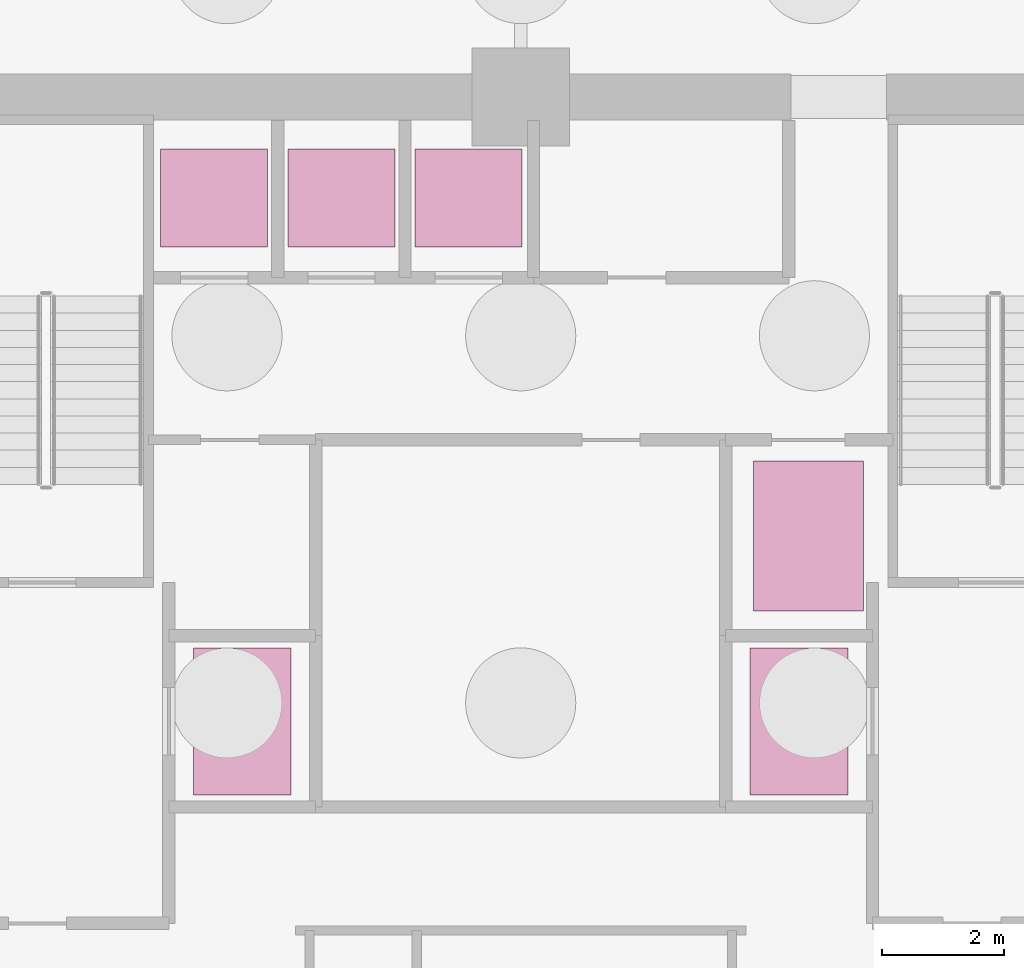
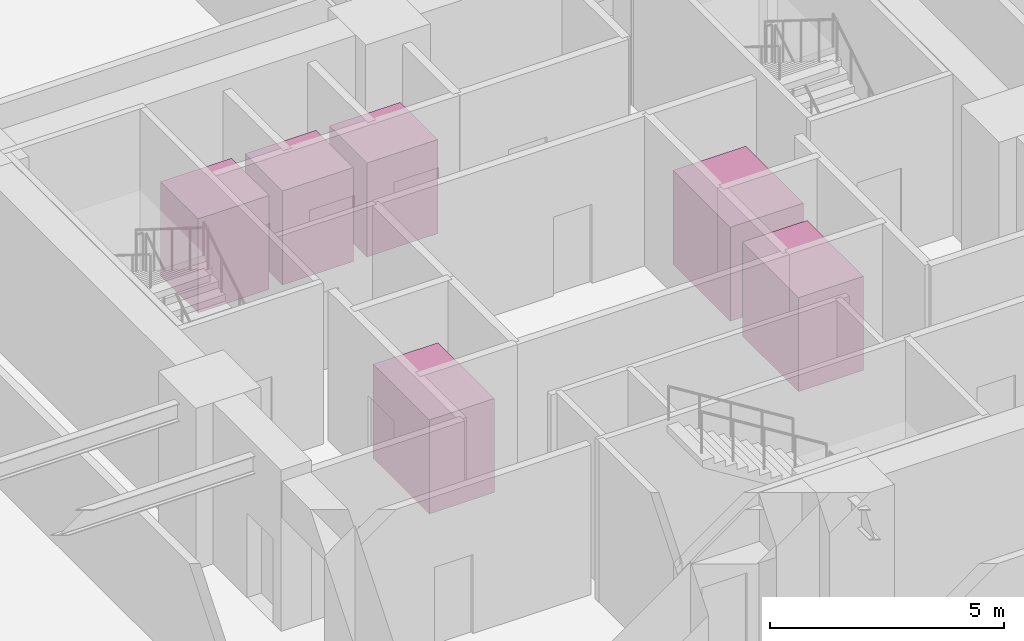
# One storey, part 8 of 8: 6 transport elements.
"""IFC4 building model written with IfcOpenShell, lengths in metres."""

from ifc_helpers import new_model, si_unit, direction, frame, origin, place, context, subcontext, project, spatial, polyline, outline, extrude, material, type_object, element, save


model = new_model("IFC4")

# Units and contexts
model_context = context("Model", 3, precision=1e-05, world=origin(), true_north=direction((0.0, 1.0)))
body_context = subcontext(model_context, "Body", "Model", "MODEL_VIEW")
ifc_project = project(units=[si_unit("LENGTHUNIT", "METRE"), si_unit("AREAUNIT", "SQUARE_METRE"), si_unit("VOLUMEUNIT", "CUBIC_METRE"), si_unit("PLANEANGLEUNIT", "RADIAN"), si_unit("MASSUNIT", "GRAM", prefix="KILO")], contexts=[model_context])

# Site, building, storey
site_placement = place(None, origin())
site = spatial("IfcSite", under=ifc_project, at=site_placement, CompositionType="ELEMENT")
building_placement = place(site_placement, origin())
building = spatial("IfcBuilding", under=site, at=building_placement, Name="Kolvaren Belvedere", CompositionType="ELEMENT")
storey_placement = place(building_placement, frame((0.0, 0.0, -12.60009765625)))
storey = spatial("IfcBuildingStorey", under=building, at=storey_placement, Name="B03", CompositionType="ELEMENT", Elevation=-12.60009765625)

# Transport elements
ifc_material_1 = material(Name="Fire-rated brushed stainless steel", Category="steel")
transport_element_type_1 = type_object("IfcTransportElementType", Name="LIFT-FSAE-2000", PredefinedType="ELEVATOR", material=ifc_material_1)
transport_element_1_placement = place(storey_placement, origin())
element("IfcTransportElement", 1, at=transport_element_1_placement, inside=storey, type_object=transport_element_type_1, Name="Firefighting Access Lift FS1", PredefinedType="ELEVATOR", context=body_context, shape_type="SweptSolid", body=[
    extrude(outline(polyline([(-5.35009765625, -1.5), (-3.75, -1.5), (-3.75, 0.89990234375), (-5.35009765625, 0.89990234375), (-5.35009765625, -1.5)])), origin(), (0.0, 0.0, 1.0), 2.4501953125),
])
transport_element_2_placement = place(storey_placement, origin())
element("IfcTransportElement", 2, at=transport_element_2_placement, inside=storey, type_object=transport_element_type_1, Name="Firefighting Access Lift FS2", PredefinedType="ELEVATOR", context=body_context, shape_type="SweptSolid", body=[
    extrude(outline(polyline([(3.75, -1.5), (5.35009765625, -1.5), (5.35009765625, 0.89990234375), (3.75, 0.89990234375), (3.75, -1.5)])), origin(), (0.0, 0.0, 1.0), 2.4501953125),
])
ifc_material_2 = material(Name="Brushed stainless steel & laminated glass", Category="steel")
transport_element_type_2 = type_object("IfcTransportElementType", Name="LIFT-PASS-1600", PredefinedType="ELEVATOR", material=ifc_material_2)
transport_element_3_placement = place(storey_placement, origin())
element("IfcTransportElement", 3, at=transport_element_3_placement, inside=storey, type_object=transport_element_type_2, Name="Passenger Lift P1", PredefinedType="ELEVATOR", context=body_context, shape_type="SweptSolid", body=[
    extrude(outline(polyline([(-5.885009765625, 7.449951171875), (-4.135009765625, 7.449951171875), (-4.135009765625, 9.050048828125), (-5.885009765625, 9.050048828125), (-5.885009765625, 7.449951171875)])), origin(), (0.0, 0.0, 1.0), 2.4501953125),
])
transport_element_4_placement = place(storey_placement, origin())
element("IfcTransportElement", 4, at=transport_element_4_placement, inside=storey, type_object=transport_element_type_2, Name="Passenger Lift P2", PredefinedType="ELEVATOR", context=body_context, shape_type="SweptSolid", body=[
    extrude(outline(polyline([(-3.804931640625, 7.449951171875), (-2.054931640625, 7.449951171875), (-2.054931640625, 9.050048828125), (-3.804931640625, 9.050048828125), (-3.804931640625, 7.449951171875)])), origin(), (0.0, 0.0, 1.0), 2.4501953125),
])
transport_element_5_placement = place(storey_placement, origin())
element("IfcTransportElement", 5, at=transport_element_5_placement, inside=storey, type_object=transport_element_type_2, Name="Passenger Lift P3", PredefinedType="ELEVATOR", context=body_context, shape_type="SweptSolid", body=[
    extrude(outline(polyline([(-1.72509765625, 7.449951171875), (0.02490234375, 7.449951171875), (0.02490234375, 9.050048828125), (-1.72509765625, 9.050048828125), (-1.72509765625, 7.449951171875)])), origin(), (0.0, 0.0, 1.0), 2.4501953125),
])
ifc_material_3 = material(Name="Heavy-duty checkered stainless steel", Category="steel")
transport_element_type_3 = type_object("IfcTransportElementType", Name="LIFT-SVC-2250", PredefinedType="ELEVATOR", material=ifc_material_3)
transport_element_6_placement = place(storey_placement, origin())
element("IfcTransportElement", 6, at=transport_element_6_placement, inside=storey, type_object=transport_element_type_3, Name="Service Freight Lift SV1", PredefinedType="ELEVATOR", context=body_context, shape_type="SweptSolid", body=[
    extrude(outline(polyline([(3.800048828125, 1.5), (5.60009765625, 1.5), (5.60009765625, 3.949951171875), (3.800048828125, 3.949951171875), (3.800048828125, 1.5)])), origin(), (0.0, 0.0, 1.0), 2.4501953125),
])

save(model, "model.ifc")
